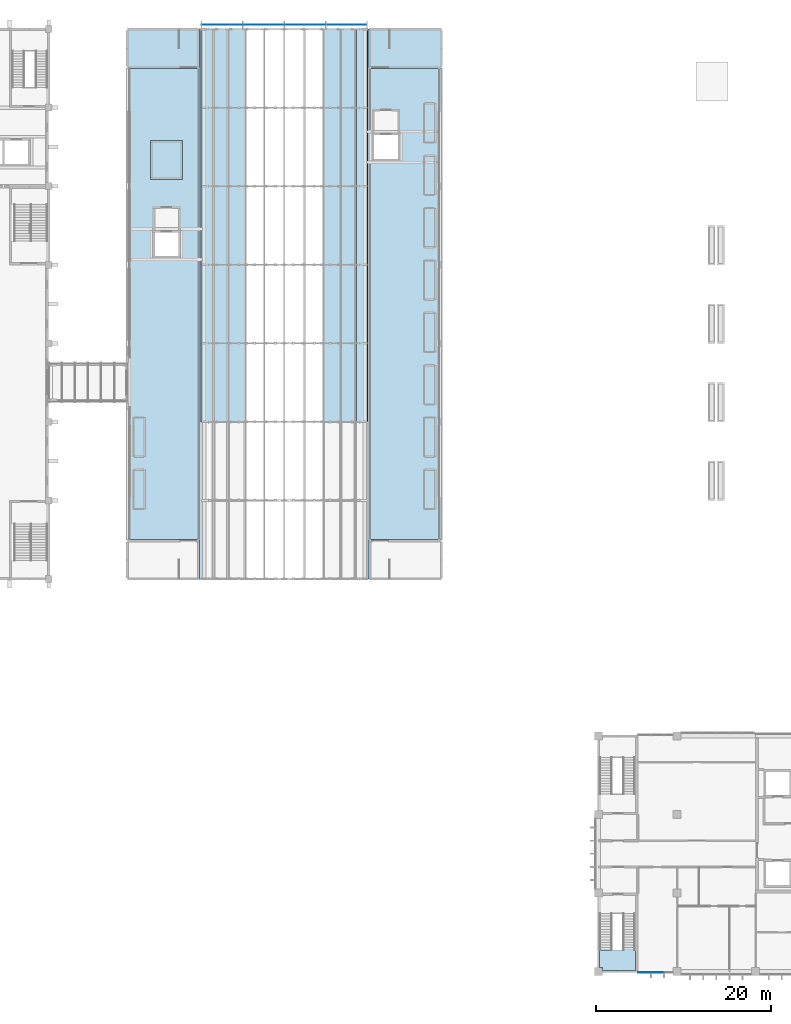
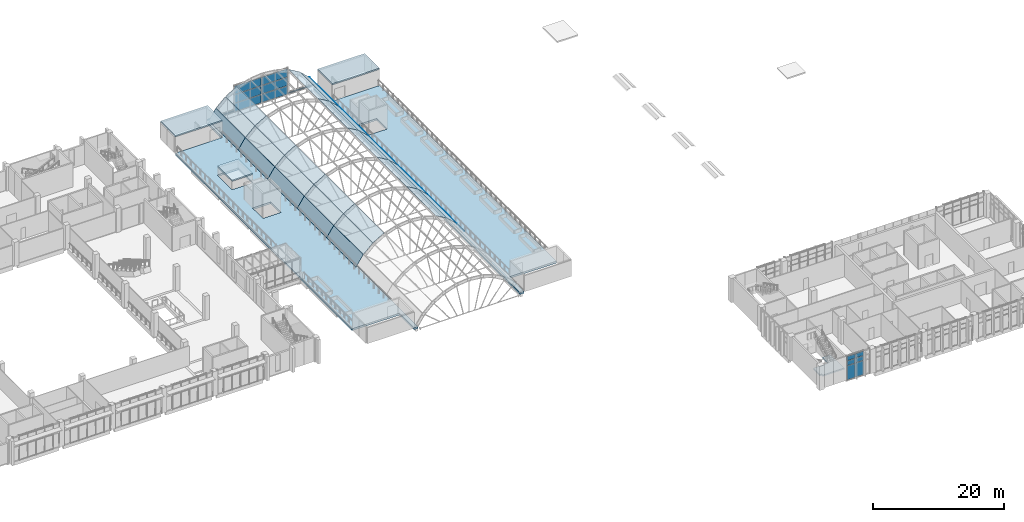
# One storey, part 46 of 79: 44 plates, 6 slabs, 6 elements without a shape of their own.
"""IFC4 building model written with IfcOpenShell, lengths in metres."""

from ifc_helpers import new_model, si_unit, direction, frame, origin, origin_2d, place, context, subcontext, project, spatial, polyline, rectangle, outline, extrude, material, layer, layer_set, type_object, element, aggregate, save


model = new_model("IFC4")

# Units and contexts
model_context = context("Model", 3, precision=1e-05, world=origin(), true_north=direction((0.0, 1.0)))
body_context = subcontext(model_context, "Body", "Model", "MODEL_VIEW")
ifc_project = project(units=[si_unit("LENGTHUNIT", "METRE"), si_unit("AREAUNIT", "SQUARE_METRE"), si_unit("VOLUMEUNIT", "CUBIC_METRE"), si_unit("PLANEANGLEUNIT", "RADIAN"), si_unit("MASSUNIT", "GRAM", prefix="KILO")], contexts=[model_context])

# Site, building, storey
site_placement = place(None, origin())
site = spatial("IfcSite", under=ifc_project, at=site_placement, CompositionType="ELEMENT")
building_placement = place(site_placement, origin())
building = spatial("IfcBuilding", under=site, at=building_placement, Name="Guidao Yard Department Store", CompositionType="ELEMENT")
storey_placement = place(building_placement, frame((0.0, 0.0, 15.0)))
storey = spatial("IfcBuildingStorey", under=building, at=storey_placement, Name="L03", CompositionType="ELEMENT", Elevation=15.0)

# Curtain wall, plate
ifc_material_1 = material(Name="Aluminium and glass", Category="aluminium")
ifc_layer_1 = layer(ifc_material_1, 0.159912109375)
ifc_layer_set_1 = layer_set([ifc_layer_1], Name="Gable glazing CW7 1500 module")
curtain_wall_type_1 = type_object("IfcCurtainWallType", Name="Gable glazing CW7 1500 module", PredefinedType="NOTDEFINED", material=ifc_layer_set_1)
curtain_wall_1_placement = place(storey_placement, origin())
curtain_wall_1 = element("IfcCurtainWall", 1, at=curtain_wall_1_placement, inside=storey, type_object=curtain_wall_type_1, Name="Gable glazing CN1", PredefinedType="NOTDEFINED")
ifc_material_2 = material(Name="Laminated glass", Category="glass")
ifc_layer_2 = layer(ifc_material_2, 0.017578125)
ifc_layer_set_2 = layer_set([ifc_layer_2], Name="Gable glass GG1 laminated 8+8")
plate_type_1 = type_object("IfcPlateType", Name="Gable glass GG1 laminated 8+8", PredefinedType="CURTAIN_PANEL", material=ifc_layer_set_2)
plate_1_placement = place(storey_placement, frame((82.866455078125, 108.489990234375, 0.06005859375), z_axis=(0.0, 0.0, 1.0), x_axis=(1.0, 0.0, 0.0)))
plate_1 = element("IfcPlate", 2, at=plate_1_placement, type_object=plate_type_1, Name="CW-TCN1 panel 1.1", PredefinedType="CURTAIN_PANEL", context=body_context, shape_type="SweptSolid", body=[
    extrude(rectangle(XDim=4.6357421875, YDim=0.017578125, at=origin_2d()), origin(), (0.0, 0.0, 1.0), 0.21728515625),
])
aggregate(curtain_wall_1, [plate_1])

# Curtain wall, plates
curtain_wall_2_placement = place(storey_placement, origin())
curtain_wall_2 = element("IfcCurtainWall", 3, at=curtain_wall_2_placement, inside=storey, type_object=curtain_wall_type_1, Name="Gable glazing CN2", PredefinedType="NOTDEFINED")
plate_2_placement = place(storey_placement, frame((87.6220703125, 108.489990234375, 0.06005859375), z_axis=(0.0, 0.0, 1.0), x_axis=(1.0, 0.0, 0.0)))
plate_2 = element("IfcPlate", 4, at=plate_2_placement, type_object=plate_type_1, Name="CW-TCN2 panel 1.1", PredefinedType="CURTAIN_PANEL", context=body_context, shape_type="SweptSolid", body=[
    extrude(rectangle(XDim=4.6357421875, YDim=0.017578125, at=origin_2d()), origin(), (0.0, 0.0, 1.0), 1.530517578125),
])
plate_3_placement = place(storey_placement, frame((87.6220703125, 108.489990234375, 1.650390625), z_axis=(0.0, 0.0, 1.0), x_axis=(1.0, 0.0, 0.0)))
plate_3 = element("IfcPlate", 5, at=plate_3_placement, type_object=plate_type_1, Name="CW-TCN2 panel 1.2", PredefinedType="CURTAIN_PANEL", context=body_context, shape_type="SweptSolid", body=[
    extrude(rectangle(XDim=4.6357421875, YDim=0.017578125, at=origin_2d()), origin(), (0.0, 0.0, 1.0), 1.560546875),
])
plate_4_placement = place(storey_placement, frame((87.6220703125, 108.489990234375, 3.27099609375), z_axis=(0.0, 0.0, 1.0), x_axis=(1.0, 0.0, 0.0)))
plate_4 = element("IfcPlate", 6, at=plate_4_placement, type_object=plate_type_1, Name="CW-TCN2 panel 1.3", PredefinedType="CURTAIN_PANEL", context=body_context, shape_type="SweptSolid", body=[
    extrude(rectangle(XDim=4.6357421875, YDim=0.017578125, at=origin_2d()), origin(), (0.0, 0.0, 1.0), 1.530517578125),
])
aggregate(curtain_wall_2, [plate_2, plate_3, plate_4])

curtain_wall_3_placement = place(storey_placement, origin())
curtain_wall_3 = element("IfcCurtainWall", 7, at=curtain_wall_3_placement, inside=storey, type_object=curtain_wall_type_1, Name="Gable glazing CN3", PredefinedType="NOTDEFINED")
plate_5_placement = place(storey_placement, frame((92.3779296875, 108.489990234375, 0.06005859375), z_axis=(0.0, 0.0, 1.0), x_axis=(1.0, 0.0, 0.0)))
plate_5 = element("IfcPlate", 8, at=plate_5_placement, type_object=plate_type_1, Name="CW-TCN3 panel 1.1", PredefinedType="CURTAIN_PANEL", context=body_context, shape_type="SweptSolid", body=[
    extrude(rectangle(XDim=4.6357421875, YDim=0.017578125, at=origin_2d()), origin(), (0.0, 0.0, 1.0), 1.530517578125),
])
plate_6_placement = place(storey_placement, frame((92.3779296875, 108.489990234375, 1.650390625), z_axis=(0.0, 0.0, 1.0), x_axis=(1.0, 0.0, 0.0)))
plate_6 = element("IfcPlate", 9, at=plate_6_placement, type_object=plate_type_1, Name="CW-TCN3 panel 1.2", PredefinedType="CURTAIN_PANEL", context=body_context, shape_type="SweptSolid", body=[
    extrude(rectangle(XDim=4.6357421875, YDim=0.017578125, at=origin_2d()), origin(), (0.0, 0.0, 1.0), 1.560546875),
])
plate_7_placement = place(storey_placement, frame((92.3779296875, 108.489990234375, 3.27099609375), z_axis=(0.0, 0.0, 1.0), x_axis=(1.0, 0.0, 0.0)))
plate_7 = element("IfcPlate", 10, at=plate_7_placement, type_object=plate_type_1, Name="CW-TCN3 panel 1.3", PredefinedType="CURTAIN_PANEL", context=body_context, shape_type="SweptSolid", body=[
    extrude(rectangle(XDim=4.6357421875, YDim=0.017578125, at=origin_2d()), origin(), (0.0, 0.0, 1.0), 1.530517578125),
])
aggregate(curtain_wall_3, [plate_5, plate_6, plate_7])

# Curtain wall, plate
curtain_wall_4_placement = place(storey_placement, origin())
curtain_wall_4 = element("IfcCurtainWall", 11, at=curtain_wall_4_placement, inside=storey, type_object=curtain_wall_type_1, Name="Gable glazing CN4", PredefinedType="NOTDEFINED")
plate_8_placement = place(storey_placement, frame((97.133544921875, 108.489990234375, 0.06005859375), z_axis=(0.0, 0.0, 1.0), x_axis=(1.0, 0.0, 0.0)))
plate_8 = element("IfcPlate", 12, at=plate_8_placement, type_object=plate_type_1, Name="CW-TCN4 panel 1.1", PredefinedType="CURTAIN_PANEL", context=body_context, shape_type="SweptSolid", body=[
    extrude(rectangle(XDim=4.6357421875, YDim=0.017578125, at=origin_2d()), origin(), (0.0, 0.0, 1.0), 0.21728515625),
])
aggregate(curtain_wall_4, [plate_8])

# Slabs
ifc_material_3 = material(Name="Concrete C35", Category="concrete")
ifc_layer_3 = layer(ifc_material_3, 0.35009765625)
ifc_layer_set_3 = layer_set([ifc_layer_3], Name="Garden roof slab 350 C35")
slab_type_1 = type_object("IfcSlabType", Name="Garden roof slab 350 C35", PredefinedType="ROOF", material=ifc_layer_set_3)
slab_1_placement = place(storey_placement, frame((0.0, 0.0, -0.35009765625)))
element("IfcSlab", 13, at=slab_1_placement, inside=storey, type_object=slab_type_1, Name="Slab ROOF-AW", PredefinedType="ROOF", context=body_context, shape_type="SweptSolid", body=[
    extrude(outline(polyline([(80.300048828125, 45.0), (80.300048828125, 49.5), (72.0, 49.5), (72.0, 103.5), (80.300048828125, 103.5), (80.300048828125, 108.0), (81.0, 108.0), (81.0, 45.0), (80.300048828125, 45.0)]), holes=[polyline([(78.10009765625, 81.75), (78.10009765625, 84.949951171875), (74.89990234375, 84.949951171875), (74.89990234375, 81.75), (78.10009765625, 81.75)]), polyline([(74.64990234375, 90.75), (78.35009765625, 90.75), (78.35009765625, 95.25), (74.64990234375, 95.25), (74.64990234375, 90.75)])]), origin(), (0.0, 0.0, 1.0), 0.35009765625),
])
slab_2_placement = place(storey_placement, frame((0.0, 0.0, -0.35009765625)))
element("IfcSlab", 14, at=slab_2_placement, inside=storey, type_object=slab_type_1, Name="Slab ROOF-AE", PredefinedType="ROOF", context=body_context, shape_type="SweptSolid", body=[
    extrude(outline(polyline([(99.699951171875, 103.5), (108.0, 103.5), (108.0, 49.5), (99.699951171875, 49.5), (99.699951171875, 45.0), (99.0, 45.0), (99.0, 108.0), (99.699951171875, 108.0), (99.699951171875, 103.5)]), holes=[polyline([(103.25, 92.89990234375), (103.25, 96.10009765625), (100.050048828125, 96.10009765625), (100.050048828125, 92.89990234375), (103.25, 92.89990234375)])]), origin(), (0.0, 0.0, 1.0), 0.35009765625),
])

# Plates
ifc_material_4 = material(Name="Laminated glass", Category="glass")
ifc_layer_4 = layer(ifc_material_4, 0.021484375)
ifc_layer_set_4 = layer_set([ifc_layer_4], Name="Roof glass RG3 laminated clear 10+10 PVB 1.52")
plate_type_2 = type_object("IfcPlateType", Name="Roof glass RG3 laminated clear 10+10 PVB 1.52", PredefinedType="SHEET", material=ifc_layer_set_4)
plate_9_placement = place(storey_placement, frame((80.470947265625, 63.0, 0.349365234375), z_axis=(-0.827148706248, 0.0, 0.561983111625), x_axis=(0.561983111625, 0.0, 0.827148706248)))
element("IfcPlate", 15, at=plate_9_placement, inside=storey, type_object=plate_type_2, Name="Roof glass C03-01", PredefinedType="SHEET", context=body_context, shape_type="SweptSolid", body=[
    extrude(outline(polyline([(0.0, 0.0), (2.2677088263643568, 0.0), (2.2677088263643568, 9.0), (0.0, 9.0), (0.0, 0.0)])), origin(), (0.0, 0.0, -1.0), 0.021484375),
])
plate_10_placement = place(storey_placement, frame((81.748291015625, 63.0, 2.228759765625), z_axis=(-0.684225314958, 0.0, 0.729270675656), x_axis=(0.729270675656, 0.0, 0.684225314958)))
element("IfcPlate", 16, at=plate_10_placement, inside=storey, type_object=plate_type_2, Name="Roof glass C03-02", PredefinedType="SHEET", context=body_context, shape_type="SweptSolid", body=[
    extrude(outline(polyline([(0.0, 0.0), (2.314290423247594, 0.0), (2.314290423247594, 9.0), (0.0, 9.0), (0.0, 0.0)])), origin(), (0.0, 0.0, -1.0), 0.021484375),
])
for number, where, z_axis, x_axis, name in (
    (17, (83.43994140625, 63.0, 3.815185546875), (-0.5105096659, 0.0, 0.859872014327), (0.859872014327, 0.0, 0.5105096659), "Roof glass C03-03"),
    (18, (94.55908203125, 63.0, 5.003173828125), (0.5105096659, 0.0, 0.859872014327), (0.859872014327, 0.0, -0.5105096659), "Roof glass C03-08"),
):
    element("IfcPlate", number, at=place(storey_placement, frame(where, z_axis=z_axis, x_axis=x_axis)), inside=storey, type_object=plate_type_2, Name=name, PredefinedType="SHEET", context=body_context, shape_type="SweptSolid", body=[
        extrude(outline(polyline([(0.0, 0.0), (2.3270632479719255, 0.0), (2.3270632479719255, 9.0), (0.0, 9.0), (0.0, 0.0)])), origin(), (0.0, 0.0, -1.0), 0.021484375),
    ])
plate_11_placement = place(storey_placement, frame((96.56396484375, 63.0, 3.812255859375), z_axis=(0.684225314958, 0.0, 0.729270675656), x_axis=(0.729270675656, 0.0, -0.684225314958)))
element("IfcPlate", 19, at=plate_11_placement, inside=storey, type_object=plate_type_2, Name="Roof glass C03-09", PredefinedType="SHEET", context=body_context, shape_type="SweptSolid", body=[
    extrude(outline(polyline([(0.0, 0.0), (2.314290423247594, 0.0), (2.314290423247594, 9.0), (0.0, 9.0), (0.0, 0.0)])), origin(), (0.0, 0.0, -1.0), 0.021484375),
])
for number, where, z_axis, x_axis, name in (
    (20, (98.254638671875, 63.0, 2.22509765625), (0.827148706248, 0.0, 0.561983111625), (0.561983111625, 0.0, -0.827148706248), "Roof glass C03-10"),
    (21, (80.470947265625, 72.0, 0.349365234375), (-0.827148706248, 0.0, 0.561983111625), (0.561983111625, 0.0, 0.827148706248), "Roof glass C04-01"),
):
    element("IfcPlate", number, at=place(storey_placement, frame(where, z_axis=z_axis, x_axis=x_axis)), inside=storey, type_object=plate_type_2, Name=name, PredefinedType="SHEET", context=body_context, shape_type="SweptSolid", body=[
        extrude(outline(polyline([(0.0, 0.0), (2.2677088263643568, 0.0), (2.2677088263643568, 9.0), (0.0, 9.0), (0.0, 0.0)])), origin(), (0.0, 0.0, -1.0), 0.021484375),
    ])
plate_12_placement = place(storey_placement, frame((81.748291015625, 72.0, 2.228759765625), z_axis=(-0.684225314958, 0.0, 0.729270675656), x_axis=(0.729270675656, 0.0, 0.684225314958)))
element("IfcPlate", 22, at=plate_12_placement, inside=storey, type_object=plate_type_2, Name="Roof glass C04-02", PredefinedType="SHEET", context=body_context, shape_type="SweptSolid", body=[
    extrude(outline(polyline([(0.0, 0.0), (2.314290423247594, 0.0), (2.314290423247594, 9.0), (0.0, 9.0), (0.0, 0.0)])), origin(), (0.0, 0.0, -1.0), 0.021484375),
])
for number, where, z_axis, x_axis, name in (
    (23, (83.43994140625, 72.0, 3.815185546875), (-0.5105096659, 0.0, 0.859872014327), (0.859872014327, 0.0, 0.5105096659), "Roof glass C04-03"),
    (24, (94.55908203125, 72.0, 5.003173828125), (0.5105096659, 0.0, 0.859872014327), (0.859872014327, 0.0, -0.5105096659), "Roof glass C04-08"),
):
    element("IfcPlate", number, at=place(storey_placement, frame(where, z_axis=z_axis, x_axis=x_axis)), inside=storey, type_object=plate_type_2, Name=name, PredefinedType="SHEET", context=body_context, shape_type="SweptSolid", body=[
        extrude(outline(polyline([(0.0, 0.0), (2.3270632479719255, 0.0), (2.3270632479719255, 9.0), (0.0, 9.0), (0.0, 0.0)])), origin(), (0.0, 0.0, -1.0), 0.021484375),
    ])
plate_13_placement = place(storey_placement, frame((96.56396484375, 72.0, 3.812255859375), z_axis=(0.684225314958, 0.0, 0.729270675656), x_axis=(0.729270675656, 0.0, -0.684225314958)))
element("IfcPlate", 25, at=plate_13_placement, inside=storey, type_object=plate_type_2, Name="Roof glass C04-09", PredefinedType="SHEET", context=body_context, shape_type="SweptSolid", body=[
    extrude(outline(polyline([(0.0, 0.0), (2.314290423247594, 0.0), (2.314290423247594, 9.0), (0.0, 9.0), (0.0, 0.0)])), origin(), (0.0, 0.0, -1.0), 0.021484375),
])
for number, where, z_axis, x_axis, name in (
    (26, (98.254638671875, 72.0, 2.22509765625), (0.827148706248, 0.0, 0.561983111625), (0.561983111625, 0.0, -0.827148706248), "Roof glass C04-10"),
    (27, (80.470947265625, 81.0, 0.349365234375), (-0.827148706248, 0.0, 0.561983111625), (0.561983111625, 0.0, 0.827148706248), "Roof glass C05-01"),
):
    element("IfcPlate", number, at=place(storey_placement, frame(where, z_axis=z_axis, x_axis=x_axis)), inside=storey, type_object=plate_type_2, Name=name, PredefinedType="SHEET", context=body_context, shape_type="SweptSolid", body=[
        extrude(outline(polyline([(0.0, 0.0), (2.2677088263643568, 0.0), (2.2677088263643568, 9.0), (0.0, 9.0), (0.0, 0.0)])), origin(), (0.0, 0.0, -1.0), 0.021484375),
    ])
plate_14_placement = place(storey_placement, frame((81.748291015625, 81.0, 2.228759765625), z_axis=(-0.684225314958, 0.0, 0.729270675656), x_axis=(0.729270675656, 0.0, 0.684225314958)))
element("IfcPlate", 28, at=plate_14_placement, inside=storey, type_object=plate_type_2, Name="Roof glass C05-02", PredefinedType="SHEET", context=body_context, shape_type="SweptSolid", body=[
    extrude(outline(polyline([(0.0, 0.0), (2.314290423247594, 0.0), (2.314290423247594, 9.0), (0.0, 9.0), (0.0, 0.0)])), origin(), (0.0, 0.0, -1.0), 0.021484375),
])
for number, where, z_axis, x_axis, name in (
    (29, (83.43994140625, 81.0, 3.815185546875), (-0.5105096659, 0.0, 0.859872014327), (0.859872014327, 0.0, 0.5105096659), "Roof glass C05-03"),
    (30, (94.55908203125, 81.0, 5.003173828125), (0.5105096659, 0.0, 0.859872014327), (0.859872014327, 0.0, -0.5105096659), "Roof glass C05-08"),
):
    element("IfcPlate", number, at=place(storey_placement, frame(where, z_axis=z_axis, x_axis=x_axis)), inside=storey, type_object=plate_type_2, Name=name, PredefinedType="SHEET", context=body_context, shape_type="SweptSolid", body=[
        extrude(outline(polyline([(0.0, 0.0), (2.3270632479719255, 0.0), (2.3270632479719255, 9.0), (0.0, 9.0), (0.0, 0.0)])), origin(), (0.0, 0.0, -1.0), 0.021484375),
    ])
plate_15_placement = place(storey_placement, frame((96.56396484375, 81.0, 3.812255859375), z_axis=(0.684225314958, 0.0, 0.729270675656), x_axis=(0.729270675656, 0.0, -0.684225314958)))
element("IfcPlate", 31, at=plate_15_placement, inside=storey, type_object=plate_type_2, Name="Roof glass C05-09", PredefinedType="SHEET", context=body_context, shape_type="SweptSolid", body=[
    extrude(outline(polyline([(0.0, 0.0), (2.314290423247594, 0.0), (2.314290423247594, 9.0), (0.0, 9.0), (0.0, 0.0)])), origin(), (0.0, 0.0, -1.0), 0.021484375),
])
for number, where, z_axis, x_axis, name in (
    (32, (98.254638671875, 81.0, 2.22509765625), (0.827148706248, 0.0, 0.561983111625), (0.561983111625, 0.0, -0.827148706248), "Roof glass C05-10"),
    (33, (80.470947265625, 90.0, 0.349365234375), (-0.827148706248, 0.0, 0.561983111625), (0.561983111625, 0.0, 0.827148706248), "Roof glass C06-01"),
):
    element("IfcPlate", number, at=place(storey_placement, frame(where, z_axis=z_axis, x_axis=x_axis)), inside=storey, type_object=plate_type_2, Name=name, PredefinedType="SHEET", context=body_context, shape_type="SweptSolid", body=[
        extrude(outline(polyline([(0.0, 0.0), (2.2677088263643568, 0.0), (2.2677088263643568, 9.0), (0.0, 9.0), (0.0, 0.0)])), origin(), (0.0, 0.0, -1.0), 0.021484375),
    ])
plate_16_placement = place(storey_placement, frame((81.748291015625, 90.0, 2.228759765625), z_axis=(-0.684225314958, 0.0, 0.729270675656), x_axis=(0.729270675656, 0.0, 0.684225314958)))
element("IfcPlate", 34, at=plate_16_placement, inside=storey, type_object=plate_type_2, Name="Roof glass C06-02", PredefinedType="SHEET", context=body_context, shape_type="SweptSolid", body=[
    extrude(outline(polyline([(0.0, 0.0), (2.314290423247594, 0.0), (2.314290423247594, 9.0), (0.0, 9.0), (0.0, 0.0)])), origin(), (0.0, 0.0, -1.0), 0.021484375),
])
for number, where, z_axis, x_axis, name in (
    (35, (83.43994140625, 90.0, 3.815185546875), (-0.5105096659, 0.0, 0.859872014327), (0.859872014327, 0.0, 0.5105096659), "Roof glass C06-03"),
    (36, (94.55908203125, 90.0, 5.003173828125), (0.5105096659, 0.0, 0.859872014327), (0.859872014327, 0.0, -0.5105096659), "Roof glass C06-08"),
):
    element("IfcPlate", number, at=place(storey_placement, frame(where, z_axis=z_axis, x_axis=x_axis)), inside=storey, type_object=plate_type_2, Name=name, PredefinedType="SHEET", context=body_context, shape_type="SweptSolid", body=[
        extrude(outline(polyline([(0.0, 0.0), (2.3270632479719255, 0.0), (2.3270632479719255, 9.0), (0.0, 9.0), (0.0, 0.0)])), origin(), (0.0, 0.0, -1.0), 0.021484375),
    ])
plate_17_placement = place(storey_placement, frame((96.56396484375, 90.0, 3.812255859375), z_axis=(0.684225314958, 0.0, 0.729270675656), x_axis=(0.729270675656, 0.0, -0.684225314958)))
element("IfcPlate", 37, at=plate_17_placement, inside=storey, type_object=plate_type_2, Name="Roof glass C06-09", PredefinedType="SHEET", context=body_context, shape_type="SweptSolid", body=[
    extrude(outline(polyline([(0.0, 0.0), (2.314290423247594, 0.0), (2.314290423247594, 9.0), (0.0, 9.0), (0.0, 0.0)])), origin(), (0.0, 0.0, -1.0), 0.021484375),
])
for number, where, z_axis, x_axis, name in (
    (38, (98.254638671875, 90.0, 2.22509765625), (0.827148706248, 0.0, 0.561983111625), (0.561983111625, 0.0, -0.827148706248), "Roof glass C06-10"),
    (39, (80.470947265625, 99.0, 0.349365234375), (-0.827148706248, 0.0, 0.561983111625), (0.561983111625, 0.0, 0.827148706248), "Roof glass C07-01"),
):
    element("IfcPlate", number, at=place(storey_placement, frame(where, z_axis=z_axis, x_axis=x_axis)), inside=storey, type_object=plate_type_2, Name=name, PredefinedType="SHEET", context=body_context, shape_type="SweptSolid", body=[
        extrude(outline(polyline([(0.0, 0.0), (2.2677088263643568, 0.0), (2.2677088263643568, 9.0), (0.0, 9.0), (0.0, 0.0)])), origin(), (0.0, 0.0, -1.0), 0.021484375),
    ])
plate_18_placement = place(storey_placement, frame((81.748291015625, 99.0, 2.228759765625), z_axis=(-0.684225314958, 0.0, 0.729270675656), x_axis=(0.729270675656, 0.0, 0.684225314958)))
element("IfcPlate", 40, at=plate_18_placement, inside=storey, type_object=plate_type_2, Name="Roof glass C07-02", PredefinedType="SHEET", context=body_context, shape_type="SweptSolid", body=[
    extrude(outline(polyline([(0.0, 0.0), (2.314290423247594, 0.0), (2.314290423247594, 9.0), (0.0, 9.0), (0.0, 0.0)])), origin(), (0.0, 0.0, -1.0), 0.021484375),
])
for number, where, z_axis, x_axis, name in (
    (41, (83.43994140625, 99.0, 3.815185546875), (-0.5105096659, 0.0, 0.859872014327), (0.859872014327, 0.0, 0.5105096659), "Roof glass C07-03"),
    (42, (94.55908203125, 99.0, 5.003173828125), (0.5105096659, 0.0, 0.859872014327), (0.859872014327, 0.0, -0.5105096659), "Roof glass C07-08"),
):
    element("IfcPlate", number, at=place(storey_placement, frame(where, z_axis=z_axis, x_axis=x_axis)), inside=storey, type_object=plate_type_2, Name=name, PredefinedType="SHEET", context=body_context, shape_type="SweptSolid", body=[
        extrude(outline(polyline([(0.0, 0.0), (2.3270632479719255, 0.0), (2.3270632479719255, 9.0), (0.0, 9.0), (0.0, 0.0)])), origin(), (0.0, 0.0, -1.0), 0.021484375),
    ])
plate_19_placement = place(storey_placement, frame((96.56396484375, 99.0, 3.812255859375), z_axis=(0.684225314958, 0.0, 0.729270675656), x_axis=(0.729270675656, 0.0, -0.684225314958)))
element("IfcPlate", 43, at=plate_19_placement, inside=storey, type_object=plate_type_2, Name="Roof glass C07-09", PredefinedType="SHEET", context=body_context, shape_type="SweptSolid", body=[
    extrude(outline(polyline([(0.0, 0.0), (2.314290423247594, 0.0), (2.314290423247594, 9.0), (0.0, 9.0), (0.0, 0.0)])), origin(), (0.0, 0.0, -1.0), 0.021484375),
])
plate_20_placement = place(storey_placement, frame((98.254638671875, 99.0, 2.22509765625), z_axis=(0.827148706248, 0.0, 0.561983111625), x_axis=(0.561983111625, 0.0, -0.827148706248)))
element("IfcPlate", 44, at=plate_20_placement, inside=storey, type_object=plate_type_2, Name="Roof glass C07-10", PredefinedType="SHEET", context=body_context, shape_type="SweptSolid", body=[
    extrude(outline(polyline([(0.0, 0.0), (2.2677088263643568, 0.0), (2.2677088263643568, 9.0), (0.0, 9.0), (0.0, 0.0)])), origin(), (0.0, 0.0, -1.0), 0.021484375),
])

# Slabs
ifc_material_5 = material(Name="Concrete C35", Category="concrete")
ifc_layer_5 = layer(ifc_material_5, 0.25)
ifc_layer_set_5 = layer_set([ifc_layer_5], Name="Roof slab RC 250 C35 head house")
slab_type_2 = type_object("IfcSlabType", Name="Roof slab RC 250 C35 head house", PredefinedType="ROOF", material=ifc_layer_set_5)
slab_3_placement = place(storey_placement, frame((0.0, 0.0, 3.0)))
element("IfcSlab", 45, at=slab_3_placement, inside=storey, type_object=slab_type_2, Name="Stair G2 head roof", PredefinedType="ROOF", context=body_context, shape_type="SweptSolid", body=[
    extrude(outline(polyline([(72.0, 103.5), (80.300048828125, 103.5), (80.300048828125, 108.0), (72.0, 108.0), (72.0, 103.5)])), origin(), (0.0, 0.0, 1.0), 0.25),
])
slab_4_placement = place(storey_placement, frame((0.0, 0.0, 3.0)))
element("IfcSlab", 46, at=slab_4_placement, inside=storey, type_object=slab_type_2, Name="Stair G4 head roof", PredefinedType="ROOF", context=body_context, shape_type="SweptSolid", body=[
    extrude(outline(polyline([(99.699951171875, 103.5), (108.0, 103.5), (108.0, 108.0), (99.699951171875, 108.0), (99.699951171875, 103.5)])), origin(), (0.0, 0.0, 1.0), 0.25),
])
slab_5_placement = place(storey_placement, frame((0.0, 0.0, 1.5)))
element("IfcSlab", 47, at=slab_5_placement, inside=storey, type_object=slab_type_2, Name="Lift overrun cover slab GG1", PredefinedType="ROOF", context=body_context, shape_type="SweptSolid", body=[
    extrude(outline(polyline([(74.64990234375, 90.75), (78.35009765625, 90.75), (78.35009765625, 95.25), (74.64990234375, 95.25), (74.64990234375, 90.75)])), origin(), (0.0, 0.0, 1.0), 0.25),
])

# Curtain wall, plates
ifc_material_6 = material(Name="Aluminium and glass", Category="aluminium")
ifc_layer_6 = layer(ifc_material_6, 0.159912109375)
ifc_layer_set_6 = layer_set([ifc_layer_6], Name="Unitised curtain wall CW4 1500 module")
curtain_wall_type_2 = type_object("IfcCurtainWallType", Name="Unitised curtain wall CW4 1500 module", PredefinedType="NOTDEFINED", material=ifc_layer_set_6)
curtain_wall_5_placement = place(storey_placement, origin())
curtain_wall_5 = element("IfcCurtainWall", 48, at=curtain_wall_5_placement, inside=storey, type_object=curtain_wall_type_2, Name="Unitised curtain wall", PredefinedType="NOTDEFINED")
ifc_material_7 = material(Name="Aluminium 6063-T5 faced insulated spandrel", Category="aluminium")
ifc_layer_7 = layer(ifc_material_7, 0.06005859375)
ifc_layer_set_7 = layer_set([ifc_layer_7], Name="Spandrel panel SP1 insulated opaque")
plate_type_3 = type_object("IfcPlateType", Name="Spandrel panel SP1 insulated opaque", PredefinedType="CURTAIN_PANEL", material=ifc_layer_set_7)
plate_21_placement = place(storey_placement, frame((131.264892578125, -0.10009765625, 3.6298828125), z_axis=(0.0, 0.0, 1.0), x_axis=(-1.0, 0.0, 0.0)))
plate_21 = element("IfcPlate", 49, at=plate_21_placement, type_object=plate_type_3, Name="CW-OW-L03-01 panel 1.3", PredefinedType="CURTAIN_PANEL", context=body_context, shape_type="SweptSolid", body=[
    extrude(rectangle(XDim=1.409912109375, YDim=0.06005859375, at=origin_2d()), origin(), (0.0, 0.0, 1.0), 0.81005859375),
])
plate_22_placement = place(storey_placement, frame((132.75, -0.10009765625, 3.6298828125), z_axis=(0.0, 0.0, 1.0), x_axis=(-1.0, 0.0, 0.0)))
plate_22 = element("IfcPlate", 50, at=plate_22_placement, type_object=plate_type_3, Name="CW-OW-L03-01 panel 2.3", PredefinedType="CURTAIN_PANEL", context=body_context, shape_type="SweptSolid", body=[
    extrude(rectangle(XDim=1.43994140625, YDim=0.06005859375, at=origin_2d()), origin(), (0.0, 0.0, 1.0), 0.81005859375),
])

# Stair, slab
ifc_material_8 = material(Name="Concrete C35", Category="concrete")
stair_type = type_object("IfcStairType", Name="Stair half-turn two-flight 1400 wide 4.5 m rise", PredefinedType="HALF_TURN_STAIR", material=ifc_material_8)
stair_placement = place(storey_placement, origin())
stair = element("IfcStair", 51, at=stair_placement, inside=storey, type_object=stair_type, Name="Stair O1 L03 to L04", PredefinedType="HALF_TURN_STAIR")
ifc_material_9 = material(Name="Concrete C35", Category="concrete")
ifc_layer_8 = layer(ifc_material_9, 0.25)
ifc_layer_set_8 = layer_set([ifc_layer_8], Name="Stair landing RC 250 C35")
slab_type_3 = type_object("IfcSlabType", Name="Stair landing RC 250 C35", PredefinedType="LANDING", material=ifc_layer_set_8)
slab_6_placement = place(storey_placement, frame((0.0, 0.0, 2.0)))
slab_6 = element("IfcSlab", 52, at=slab_6_placement, type_object=slab_type_3, Name="SO1-L03 landing 1", PredefinedType="LANDING", context=body_context, shape_type="SweptSolid", body=[
    extrude(outline(polyline([(126.449951171875, 0.125), (126.449951171875, 0.449951171875), (126.125, 0.449951171875), (126.125, 2.449951171875), (126.125, 2.4599609375), (127.52490234375, 2.4599609375), (127.52490234375, 2.449951171875), (128.800048828125, 2.449951171875), (128.800048828125, 4.280029296875), (130.199951171875, 4.280029296875), (130.199951171875, 2.449951171875), (130.25, 2.449951171875), (130.25, 0.125), (126.449951171875, 0.125)])), origin(), (0.0, 0.0, 1.0), 0.25),
])
aggregate(stair, [slab_6])

# Plate
ifc_material_10 = material(Name="Laminated heat-soaked tempered glass", Category="glass")
ifc_layer_9 = layer(ifc_material_10, 0.017578125)
ifc_layer_set_9 = layer_set([ifc_layer_9], Name="Vision glass VG1 laminated heat-soaked tempered 8+8")
plate_type_4 = type_object("IfcPlateType", Name="Vision glass VG1 laminated heat-soaked tempered 8+8", PredefinedType="CURTAIN_PANEL", material=ifc_layer_set_9)
plate_23_placement = place(storey_placement, frame((131.264892578125, -0.10009765625, 0.06005859375), z_axis=(0.0, 0.0, 1.0), x_axis=(-1.0, 0.0, 0.0)))
plate_23 = element("IfcPlate", 53, at=plate_23_placement, type_object=plate_type_4, Name="CW-OW-L03-01 panel 1.1", PredefinedType="CURTAIN_PANEL", context=body_context, shape_type="SweptSolid", body=[
    extrude(rectangle(XDim=1.409912109375, YDim=0.017578125, at=origin_2d()), origin(), (0.0, 0.0, 1.0), 2.610107421875),
])

plate_24_placement = place(storey_placement, frame((131.264892578125, -0.10009765625, 2.72998046875), z_axis=(0.0, 0.0, 1.0), x_axis=(-1.0, 0.0, 0.0)))
plate_24 = element("IfcPlate", 54, at=plate_24_placement, type_object=plate_type_4, Name="CW-OW-L03-01 panel 1.2", PredefinedType="CURTAIN_PANEL", context=body_context, shape_type="SweptSolid", body=[
    extrude(rectangle(XDim=1.409912109375, YDim=0.017578125, at=origin_2d()), origin(), (0.0, 0.0, 1.0), 0.840087890625),
])

plate_25_placement = place(storey_placement, frame((132.75, -0.10009765625, 0.06005859375), z_axis=(0.0, 0.0, 1.0), x_axis=(-1.0, 0.0, 0.0)))
plate_25 = element("IfcPlate", 55, at=plate_25_placement, type_object=plate_type_4, Name="CW-OW-L03-01 panel 2.1", PredefinedType="CURTAIN_PANEL", context=body_context, shape_type="SweptSolid", body=[
    extrude(rectangle(XDim=1.43994140625, YDim=0.017578125, at=origin_2d()), origin(), (0.0, 0.0, 1.0), 2.610107421875),
])

plate_26_placement = place(storey_placement, frame((132.75, -0.10009765625, 2.72998046875), z_axis=(0.0, 0.0, 1.0), x_axis=(-1.0, 0.0, 0.0)))
plate_26 = element("IfcPlate", 56, at=plate_26_placement, type_object=plate_type_4, Name="CW-OW-L03-01 panel 2.2", PredefinedType="CURTAIN_PANEL", context=body_context, shape_type="SweptSolid", body=[
    extrude(rectangle(XDim=1.43994140625, YDim=0.017578125, at=origin_2d()), origin(), (0.0, 0.0, 1.0), 0.840087890625),
])

aggregate(curtain_wall_5, [plate_23, plate_24, plate_21, plate_25, plate_26, plate_22])

save(model, "model.ifc")
